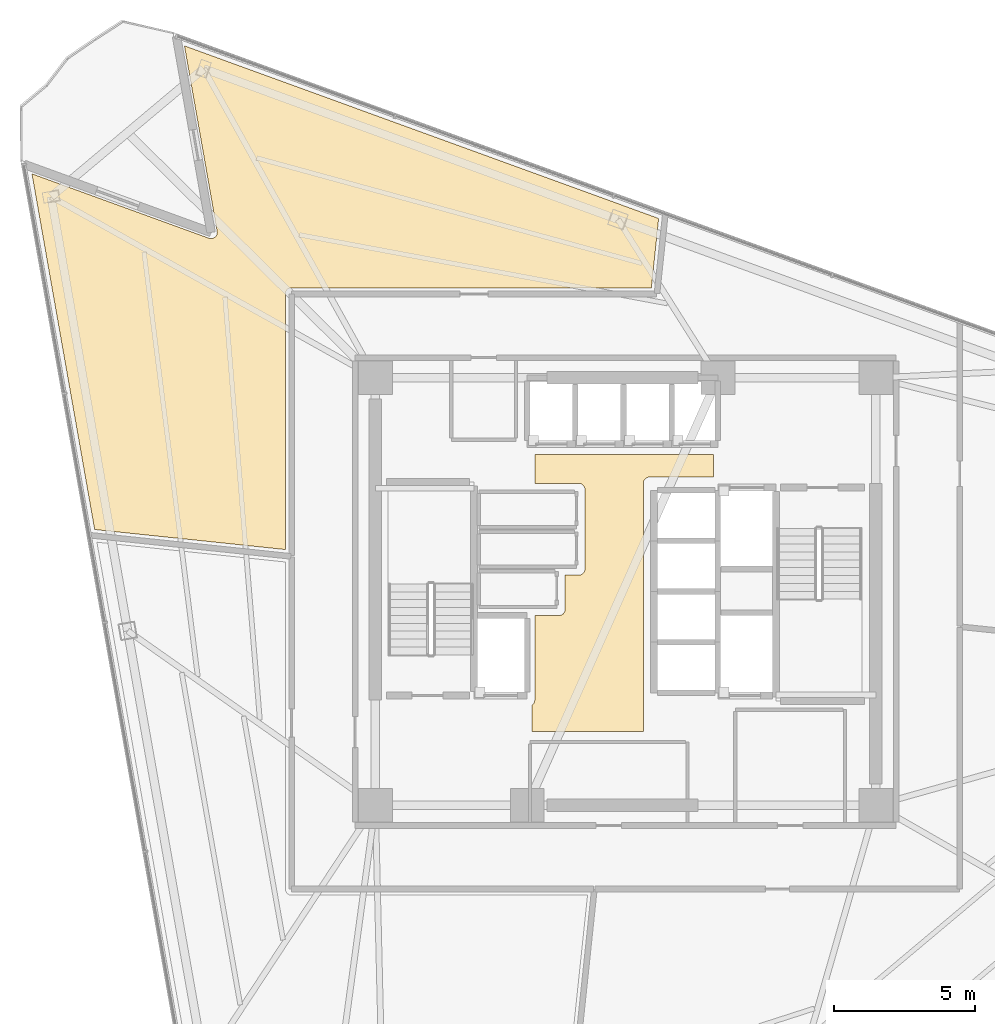
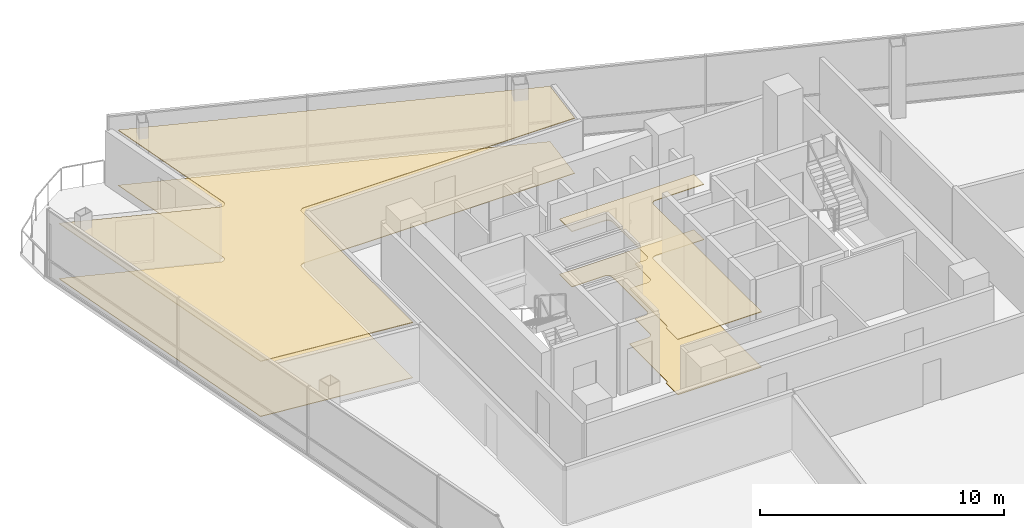
# One storey, part 15 of 17: 4 coverings.
"""IFC4 building model written with IfcOpenShell, lengths in metres."""

from ifc_helpers import new_model, si_unit, direction, frame, origin, place, context, subcontext, project, spatial, polyline, outline, extrude, material, layer, layer_set, type_object, element, save


model = new_model("IFC4")

# Units and contexts
model_context = context("Model", 3, precision=1e-05, world=origin(), true_north=direction((0.0, 1.0)))
body_context = subcontext(model_context, "Body", "Model", "MODEL_VIEW")
ifc_project = project(units=[si_unit("LENGTHUNIT", "METRE"), si_unit("AREAUNIT", "SQUARE_METRE"), si_unit("VOLUMEUNIT", "CUBIC_METRE"), si_unit("PLANEANGLEUNIT", "RADIAN"), si_unit("MASSUNIT", "GRAM", prefix="KILO")], contexts=[model_context])

# Site, building, storey
site_placement = place(None, origin())
site = spatial("IfcSite", under=ifc_project, at=site_placement, CompositionType="ELEMENT")
building_placement = place(site_placement, origin())
building = spatial("IfcBuilding", under=site, at=building_placement, Name="Tharavind Bronze Gate", CompositionType="ELEMENT")
storey_placement = place(building_placement, frame((0.0, 0.0, 184.89990234375)))
storey = spatial("IfcBuildingStorey", under=building, at=storey_placement, Name="L47", CompositionType="ELEMENT", Elevation=184.89990234375)

# Coverings
ifc_material_1 = material(Name="Perforated Bronze Acoustic Panel", Category="bronze")
ifc_layer_1 = layer(ifc_material_1, 0.044921875)
ifc_layer_set_1 = layer_set([ifc_layer_1], Name="Perforated Bronze Acoustic Panel")
covering_type_1 = type_object("IfcCoveringType", Name="ACOUSTIC BRONZE BAFFLE CEILING", PredefinedType="CEILING", material=ifc_layer_set_1)
covering_1_placement = place(storey_placement, frame((0.0, 0.0, 2.75)))
element("IfcCovering", 1, at=covering_1_placement, inside=storey, type_object=covering_type_1, Name="L47-C-LL suspended ceiling", PredefinedType="CEILING", context=body_context, shape_type="SweptSolid", body=[
    extrude(outline(polyline([(-3.330078125, -4.97998046875), (0.6298828125, -4.97998046875), (0.6298828125, 3.85009765625), (0.631103515625, 3.87158203125), (0.63427734375, 3.892822265625), (0.639404296875, 3.913818359375), (0.646728515625, 3.93408203125), (0.656005859375, 3.95361328125), (0.6669921875, 3.97216796875), (0.679931640625, 3.989501953125), (0.6943359375, 4.005615234375), (0.71044921875, 4.02001953125), (0.727783203125, 4.032958984375), (0.746337890625, 4.0439453125), (0.765869140625, 4.05322265625), (0.7861328125, 4.060546875), (0.80712890625, 4.06591796875), (0.828369140625, 4.06884765625), (0.85009765625, 4.070068359375), (3.1298828125, 4.070068359375), (3.1298828125, 4.8798828125), (-3.22998046875, 4.8798828125), (-3.22998046875, 3.85009765625), (-1.669921875, 3.85009765625), (-1.6484375, 3.848876953125), (-1.627197265625, 3.845703125), (-1.606201171875, 3.840576171875), (-1.585693359375, 3.833251953125), (-1.56640625, 3.823974609375), (-1.5478515625, 3.81298828125), (-1.530517578125, 3.800048828125), (-1.514404296875, 3.78564453125), (-1.5, 3.76953125), (-1.487060546875, 3.752197265625), (-1.47607421875, 3.733642578125), (-1.466796875, 3.714111328125), (-1.45947265625, 3.69384765625), (-1.4541015625, 3.6728515625), (-1.451171875, 3.651611328125), (-1.449951171875, 3.6298828125), (-1.449951171875, 0.800048828125), (-1.451171875, 0.7783203125), (-1.4541015625, 0.757080078125), (-1.45947265625, 0.736083984375), (-1.466796875, 0.7158203125), (-1.47607421875, 0.6962890625), (-1.487060546875, 0.677734375), (-1.5, 0.660400390625), (-1.514404296875, 0.644287109375), (-1.530517578125, 0.6298828125), (-1.5478515625, 0.6171875), (-1.56640625, 0.60595703125), (-1.585693359375, 0.5966796875), (-1.606201171875, 0.589599609375), (-1.627197265625, 0.584228515625), (-1.6484375, 0.5810546875), (-1.669921875, 0.580078125), (-2.14990234375, 0.580078125), (-2.14990234375, -0.6298828125), (-2.151123046875, -0.651611328125), (-2.154296875, -0.6728515625), (-2.159423828125, -0.69384765625), (-2.166748046875, -0.714111328125), (-2.176025390625, -0.733642578125), (-2.18701171875, -0.752197265625), (-2.199951171875, -0.76953125), (-2.21435546875, -0.78564453125), (-2.23046875, -0.800048828125), (-2.247802734375, -0.81298828125), (-2.266357421875, -0.823974609375), (-2.285888671875, -0.833251953125), (-2.30615234375, -0.840576171875), (-2.3271484375, -0.845703125), (-2.348388671875, -0.848876953125), (-2.3701171875, -0.85009765625), (-3.22998046875, -0.85009765625), (-3.22998046875, -3.85009765625), (-3.231201171875, -3.87158203125), (-3.234130859375, -3.892822265625), (-3.239501953125, -3.913818359375), (-3.24658203125, -3.93408203125), (-3.256103515625, -3.95361328125), (-3.26708984375, -3.97216796875), (-3.27978515625, -3.989501953125), (-3.29443359375, -4.005615234375), (-3.310302734375, -4.02001953125), (-3.327880859375, -4.032958984375), (-3.330078125, -4.0341796875), (-3.330078125, -4.97998046875)])), origin(), (0.0, 0.0, 1.0), 0.03515625),
])
ifc_material_2 = material(Name="Engineered Oak & Carpet Tile", Category="wood")
ifc_layer_2 = layer(ifc_material_2, 0.02490234375)
ifc_layer_set_2 = layer_set([ifc_layer_2], Name="Engineered Oak & Carpet Tile")
covering_type_2 = type_object("IfcCoveringType", Name="ENGINEERED TIMBER FLOORING", PredefinedType="FLOORING", material=ifc_layer_set_2)
covering_2_placement = place(storey_placement, origin())
element("IfcCovering", 2, at=covering_2_placement, inside=storey, type_object=covering_type_2, Name="L47-RM-01 floor finish", PredefinedType="FLOORING", context=body_context, shape_type="SweptSolid", body=[
    extrude(outline(polyline([(-18.883544921875, 2.205810546875), (-12.10009765625, 1.492919921875), (-12.10009765625, 10.579345703125), (-12.099609375, 10.590087890625), (-12.099609375, 10.5908203125), (-12.09765625, 10.6123046875), (-12.093505859375, 10.63330078125), (-12.087158203125, 10.654052734375), (-12.078857421875, 10.674072265625), (-12.068603515625, 10.693115234375), (-12.056640625, 10.7109375), (-12.04296875, 10.727783203125), (-12.027587890625, 10.742919921875), (-12.010986328125, 10.756591796875), (-11.9931640625, 10.768798828125), (-11.97412109375, 10.77880859375), (-11.9541015625, 10.787109375), (-11.933349609375, 10.79345703125), (-11.912353515625, 10.797607421875), (-11.890869140625, 10.7998046875), (-11.89013671875, 10.7998046875), (-11.87939453125, 10.800048828125), (0.913818359375, 10.800048828125), (1.17333984375, 13.268310546875), (-15.690185546875, 19.40625), (-14.527099609375, 12.8095703125), (-14.525390625, 12.798828125), (-14.525390625, 12.798095703125), (-14.523681640625, 12.7763671875), (-14.5244140625, 12.75439453125), (-14.527099609375, 12.732666015625), (-14.531982421875, 12.711181640625), (-14.538818359375, 12.6904296875), (-14.5478515625, 12.67041015625), (-14.558837890625, 12.651611328125), (-14.571533203125, 12.6337890625), (-14.586181640625, 12.6171875), (-14.602294921875, 12.602294921875), (-14.61962890625, 12.589111328125), (-14.638427734375, 12.57763671875), (-14.658203125, 12.568115234375), (-14.6787109375, 12.560546875), (-14.699951171875, 12.55517578125), (-14.7216796875, 12.552001953125), (-14.74365234375, 12.55078125), (-14.765380859375, 12.552001953125), (-14.787109375, 12.55517578125), (-14.80859375, 12.560546875), (-14.80908203125, 12.560791015625), (-14.8193359375, 12.564208984375), (-21.114013671875, 14.855224609375), (-18.883544921875, 2.205810546875)])), origin(), (0.0, 0.0, 1.0), 0.025146484375),
])
ifc_material_3 = material(Name="Acoustic Gypsum Board", Category="gypsum")
ifc_layer_3 = layer(ifc_material_3, 0.030029296875)
ifc_layer_set_3 = layer_set([ifc_layer_3], Name="Acoustic Gypsum Board")
covering_type_3 = type_object("IfcCoveringType", Name="GYPSUM SUSPENDED CEILING", PredefinedType="CEILING", material=ifc_layer_set_3)
covering_3_placement = place(storey_placement, frame((0.0, 0.0, 2.75)))
element("IfcCovering", 3, at=covering_3_placement, inside=storey, type_object=covering_type_3, Name="L47-RM-01 suspended ceiling", PredefinedType="CEILING", context=body_context, shape_type="SweptSolid", body=[
    extrude(outline(polyline([(-18.883544921875, 2.205810546875), (-12.10009765625, 1.492919921875), (-12.10009765625, 10.579345703125), (-12.099609375, 10.590087890625), (-12.099609375, 10.5908203125), (-12.09765625, 10.6123046875), (-12.093505859375, 10.63330078125), (-12.087158203125, 10.654052734375), (-12.078857421875, 10.674072265625), (-12.068603515625, 10.693115234375), (-12.056640625, 10.7109375), (-12.04296875, 10.727783203125), (-12.027587890625, 10.742919921875), (-12.010986328125, 10.756591796875), (-11.9931640625, 10.768798828125), (-11.97412109375, 10.77880859375), (-11.9541015625, 10.787109375), (-11.933349609375, 10.79345703125), (-11.912353515625, 10.797607421875), (-11.890869140625, 10.7998046875), (-11.89013671875, 10.7998046875), (-11.87939453125, 10.800048828125), (0.913818359375, 10.800048828125), (1.17333984375, 13.268310546875), (-15.690185546875, 19.40625), (-14.527099609375, 12.8095703125), (-14.525390625, 12.798828125), (-14.525390625, 12.798095703125), (-14.523681640625, 12.7763671875), (-14.5244140625, 12.75439453125), (-14.527099609375, 12.732666015625), (-14.531982421875, 12.711181640625), (-14.538818359375, 12.6904296875), (-14.5478515625, 12.67041015625), (-14.558837890625, 12.651611328125), (-14.571533203125, 12.6337890625), (-14.586181640625, 12.6171875), (-14.602294921875, 12.602294921875), (-14.61962890625, 12.589111328125), (-14.638427734375, 12.57763671875), (-14.658203125, 12.568115234375), (-14.6787109375, 12.560546875), (-14.699951171875, 12.55517578125), (-14.7216796875, 12.552001953125), (-14.74365234375, 12.55078125), (-14.765380859375, 12.552001953125), (-14.787109375, 12.55517578125), (-14.80859375, 12.560546875), (-14.80908203125, 12.560791015625), (-14.8193359375, 12.564208984375), (-21.114013671875, 14.855224609375), (-18.883544921875, 2.205810546875)])), origin(), (0.0, 0.0, 1.0), 0.03515625),
])
ifc_material_4 = material(Name="Honed Travertine Limestone", Category="masonry")
ifc_layer_4 = layer(ifc_material_4, 0.030029296875)
ifc_layer_set_4 = layer_set([ifc_layer_4], Name="Honed Travertine Limestone")
covering_type_4 = type_object("IfcCoveringType", Name="HONED LIMESTONE FLOORING", PredefinedType="FLOORING", material=ifc_layer_set_4)
covering_4_placement = place(storey_placement, origin())
element("IfcCovering", 4, at=covering_4_placement, inside=storey, type_object=covering_type_4, Name="L47-C-LL floor finish", PredefinedType="FLOORING", context=body_context, shape_type="SweptSolid", body=[
    extrude(outline(polyline([(-3.330078125, -4.97998046875), (0.6298828125, -4.97998046875), (0.6298828125, 3.85009765625), (0.631103515625, 3.87158203125), (0.63427734375, 3.892822265625), (0.639404296875, 3.913818359375), (0.646728515625, 3.93408203125), (0.656005859375, 3.95361328125), (0.6669921875, 3.97216796875), (0.679931640625, 3.989501953125), (0.6943359375, 4.005615234375), (0.71044921875, 4.02001953125), (0.727783203125, 4.032958984375), (0.746337890625, 4.0439453125), (0.765869140625, 4.05322265625), (0.7861328125, 4.060546875), (0.80712890625, 4.06591796875), (0.828369140625, 4.06884765625), (0.85009765625, 4.070068359375), (3.1298828125, 4.070068359375), (3.1298828125, 4.8798828125), (-3.22998046875, 4.8798828125), (-3.22998046875, 3.85009765625), (-1.669921875, 3.85009765625), (-1.6484375, 3.848876953125), (-1.627197265625, 3.845703125), (-1.606201171875, 3.840576171875), (-1.585693359375, 3.833251953125), (-1.56640625, 3.823974609375), (-1.5478515625, 3.81298828125), (-1.530517578125, 3.800048828125), (-1.514404296875, 3.78564453125), (-1.5, 3.76953125), (-1.487060546875, 3.752197265625), (-1.47607421875, 3.733642578125), (-1.466796875, 3.714111328125), (-1.45947265625, 3.69384765625), (-1.4541015625, 3.6728515625), (-1.451171875, 3.651611328125), (-1.449951171875, 3.6298828125), (-1.449951171875, 0.800048828125), (-1.451171875, 0.7783203125), (-1.4541015625, 0.757080078125), (-1.45947265625, 0.736083984375), (-1.466796875, 0.7158203125), (-1.47607421875, 0.6962890625), (-1.487060546875, 0.677734375), (-1.5, 0.660400390625), (-1.514404296875, 0.644287109375), (-1.530517578125, 0.6298828125), (-1.5478515625, 0.6171875), (-1.56640625, 0.60595703125), (-1.585693359375, 0.5966796875), (-1.606201171875, 0.589599609375), (-1.627197265625, 0.584228515625), (-1.6484375, 0.5810546875), (-1.669921875, 0.580078125), (-2.14990234375, 0.580078125), (-2.14990234375, -0.6298828125), (-2.151123046875, -0.651611328125), (-2.154296875, -0.6728515625), (-2.159423828125, -0.69384765625), (-2.166748046875, -0.714111328125), (-2.176025390625, -0.733642578125), (-2.18701171875, -0.752197265625), (-2.199951171875, -0.76953125), (-2.21435546875, -0.78564453125), (-2.23046875, -0.800048828125), (-2.247802734375, -0.81298828125), (-2.266357421875, -0.823974609375), (-2.285888671875, -0.833251953125), (-2.30615234375, -0.840576171875), (-2.3271484375, -0.845703125), (-2.348388671875, -0.848876953125), (-2.3701171875, -0.85009765625), (-3.22998046875, -0.85009765625), (-3.22998046875, -3.85009765625), (-3.231201171875, -3.87158203125), (-3.234130859375, -3.892822265625), (-3.239501953125, -3.913818359375), (-3.24658203125, -3.93408203125), (-3.256103515625, -3.95361328125), (-3.26708984375, -3.97216796875), (-3.27978515625, -3.989501953125), (-3.29443359375, -4.005615234375), (-3.310302734375, -4.02001953125), (-3.327880859375, -4.032958984375), (-3.330078125, -4.0341796875), (-3.330078125, -4.97998046875)])), origin(), (0.0, 0.0, 1.0), 0.025146484375),
])

save(model, "model.ifc")
